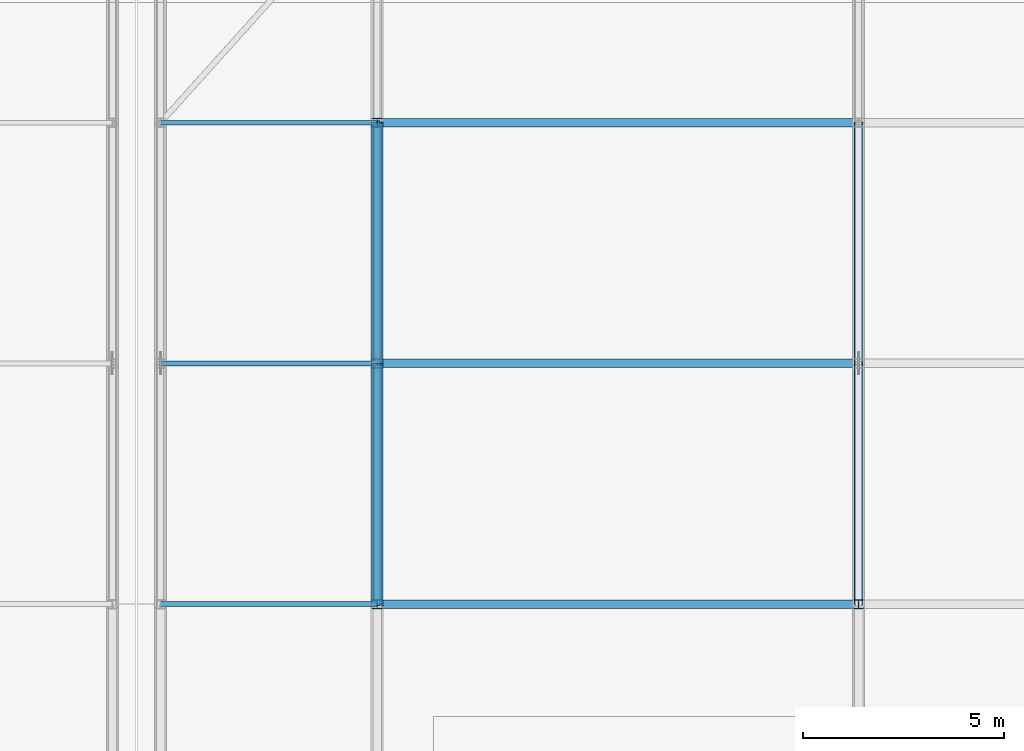
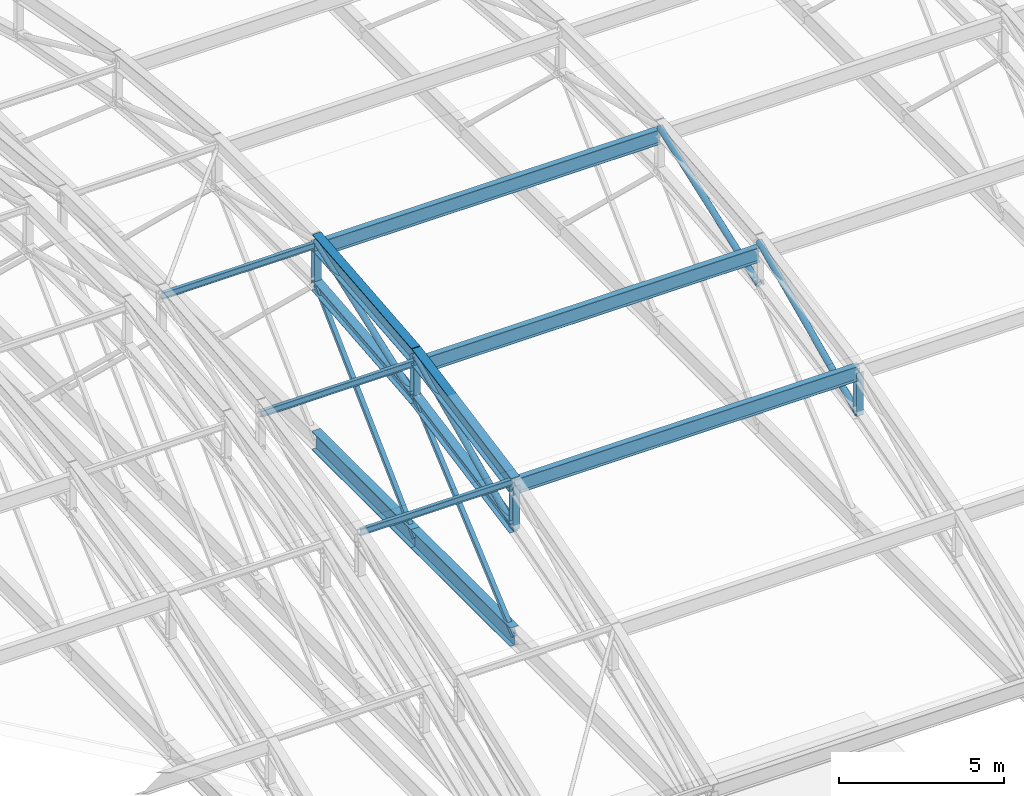
# One storey, part 121 of 204: 22 members.
"""IFC4 building model written with IfcOpenShell, lengths in metres."""

from ifc_helpers import new_model, si_unit, direction, frame, origin, origin_2d, place, context, subcontext, project, spatial, hollow_rectangle, hollow_circle, i_section, extrude, material, material_profile, profile_set, type_object, element, save


model = new_model("IFC4")

# Units and contexts
model_context = context("Model", 3, precision=1e-05, world=origin(), true_north=direction((0.0, 1.0)))
body_context = subcontext(model_context, "Body", "Model", "MODEL_VIEW")
ifc_project = project(units=[si_unit("LENGTHUNIT", "METRE"), si_unit("AREAUNIT", "SQUARE_METRE"), si_unit("VOLUMEUNIT", "CUBIC_METRE"), si_unit("PLANEANGLEUNIT", "RADIAN"), si_unit("MASSUNIT", "GRAM", prefix="KILO")], contexts=[model_context])

# Site, building, storey
site_placement = place(None, origin())
site = spatial("IfcSite", under=ifc_project, at=site_placement, CompositionType="ELEMENT")
building_placement = place(site_placement, origin())
building = spatial("IfcBuilding", under=site, at=building_placement, Name="Zilviju Railside Exhibition Hall", CompositionType="ELEMENT")
storey_placement = place(building_placement, frame((0.0, 0.0, 21.0)))
storey = spatial("IfcBuildingStorey", under=building, at=storey_placement, Name="RF", CompositionType="ELEMENT", Elevation=21.0)

# Members
ifc_material = material(Name="Steel S355J2", Category="steel")
ifc_material_profile_1 = material_profile(ifc_material, hollow_circle(Radius=0.109619140625, WallThickness=0.010009765625, at=origin_2d()), Name="CHS 219.1x10.0")
ifc_profile_set_1 = profile_set([ifc_material_profile_1], Name="Steel S355J2")
member_type_1 = type_object("IfcMemberType", Name="TR-BR-CHS219", PredefinedType="BRACE", material=ifc_profile_set_1)
member_1_placement = place(storey_placement, frame((132.0, 96.0, 0.409912109375), z_axis=(0.0, 0.909316915895, 0.416104249518), x_axis=(-1.0, 0.0, 0.0)))
element("IfcMember", 1, at=member_1_placement, inside=storey, type_object=member_type_1, Name="V2 Parabolic Arch Web Diagonal X=132.0 P3", PredefinedType="BRACE", context=body_context, shape_type="SweptSolid", body=[
    extrude(hollow_circle(Radius=0.109619140625, WallThickness=0.010009765625, at=origin_2d()), origin(), (0.0, 0.0, 1.0), 6.598388671875),
])
member_2_placement = place(storey_placement, frame((132.0, 102.0, 1.5556640625), z_axis=(0.0, 0.940243888255, 0.340501733621), x_axis=(-1.0, 0.0, 0.0)))
element("IfcMember", 2, at=member_2_placement, inside=storey, type_object=member_type_1, Name="V2 Parabolic Arch Web Diagonal X=132.0 P4", PredefinedType="BRACE", context=body_context, shape_type="SweptSolid", body=[
    extrude(hollow_circle(Radius=0.109619140625, WallThickness=0.010009765625, at=origin_2d()), origin(), (0.0, 0.0, 1.0), 6.38134765625),
])
member_3_placement = place(storey_placement, frame((144.0, 96.0, 0.409912109375), z_axis=(0.0, 0.909316915895, 0.416104249518), x_axis=(-1.0, 0.0, 0.0)))
element("IfcMember", 3, at=member_3_placement, inside=storey, type_object=member_type_1, Name="V2 Parabolic Arch Web Diagonal X=144.0 P3", PredefinedType="BRACE", context=body_context, shape_type="SweptSolid", body=[
    extrude(hollow_circle(Radius=0.109619140625, WallThickness=0.010009765625, at=origin_2d()), origin(), (0.0, 0.0, 1.0), 6.598388671875),
])
member_4_placement = place(storey_placement, frame((144.0, 102.0, 1.5556640625), z_axis=(0.0, 0.940243888255, 0.340501733621), x_axis=(-1.0, 0.0, 0.0)))
element("IfcMember", 4, at=member_4_placement, inside=storey, type_object=member_type_1, Name="V2 Parabolic Arch Web Diagonal X=144.0 P4", PredefinedType="BRACE", context=body_context, shape_type="SweptSolid", body=[
    extrude(hollow_circle(Radius=0.109619140625, WallThickness=0.010009765625, at=origin_2d()), origin(), (0.0, 0.0, 1.0), 6.38134765625),
])
ifc_material_profile_2 = material_profile(ifc_material, i_section(OverallWidth=0.300048828125, OverallDepth=0.39990234375, WebThickness=0.013427734375, FlangeThickness=0.02392578125, at=origin_2d()), Name="HEB 400")
ifc_profile_set_2 = profile_set([ifc_material_profile_2], Name="Steel S355J2")
member_type_2 = type_object("IfcMemberType", Name="TR-CH-HEB400", PredefinedType="CHORD", material=ifc_profile_set_2)
member_5_placement = place(storey_placement, frame((132.0, 96.0, 0.409912109375), z_axis=(0.0, 0.98225135267, 0.187569400964), x_axis=(-1.0, 0.0, 0.0)))
element("IfcMember", 5, at=member_5_placement, inside=storey, type_object=member_type_2, Name="V2 Parabolic Arch Bottom Chord X=132.0 P3", PredefinedType="CHORD", context=body_context, shape_type="SweptSolid", body=[
    extrude(i_section(OverallWidth=0.300048828125, OverallDepth=0.39990234375, WebThickness=0.013427734375, FlangeThickness=0.02392578125, at=origin_2d()), origin(), (0.0, 0.0, 1.0), 6.1083984375),
])
member_6_placement = place(storey_placement, frame((132.0, 102.0, 1.5556640625), z_axis=(0.0, 0.995474695123, 0.095027003367), x_axis=(-1.0, 0.0, 0.0)))
element("IfcMember", 6, at=member_6_placement, inside=storey, type_object=member_type_2, Name="V2 Parabolic Arch Bottom Chord X=132.0 P4", PredefinedType="CHORD", context=body_context, shape_type="SweptSolid", body=[
    extrude(i_section(OverallWidth=0.300048828125, OverallDepth=0.39990234375, WebThickness=0.013427734375, FlangeThickness=0.02392578125, at=origin_2d()), origin(), (0.0, 0.0, 1.0), 6.02734375),
])
ifc_material_profile_3 = material_profile(ifc_material, i_section(OverallWidth=0.300048828125, OverallDepth=0.60009765625, WebThickness=0.015380859375, FlangeThickness=0.030029296875, at=origin_2d()), Name="HEB 600")
ifc_profile_set_3 = profile_set([ifc_material_profile_3], Name="Steel S355J2")
member_type_3 = type_object("IfcMemberType", Name="TR-CH-HEB600", PredefinedType="CHORD", material=ifc_profile_set_3)
member_7_placement = place(storey_placement, frame((132.0, 96.0, 2.009765625), z_axis=(0.0, 0.98225135267, 0.187569400964), x_axis=(-1.0, 0.0, 0.0)))
element("IfcMember", 7, at=member_7_placement, inside=storey, type_object=member_type_3, Name="V2 Parabolic Arch Top Chord X=132.0 P3", PredefinedType="CHORD", context=body_context, shape_type="SweptSolid", body=[
    extrude(i_section(OverallWidth=0.300048828125, OverallDepth=0.60009765625, WebThickness=0.015380859375, FlangeThickness=0.030029296875, at=origin_2d()), origin(), (0.0, 0.0, 1.0), 6.1083984375),
])
member_8_placement = place(storey_placement, frame((132.0, 102.0, 3.155517578125), z_axis=(0.0, 0.995470862587, 0.095067143331), x_axis=(-1.0, 0.0, 0.0)))
element("IfcMember", 8, at=member_8_placement, inside=storey, type_object=member_type_3, Name="V2 Parabolic Arch Top Chord X=132.0 P4", PredefinedType="CHORD", context=body_context, shape_type="SweptSolid", body=[
    extrude(i_section(OverallWidth=0.300048828125, OverallDepth=0.60009765625, WebThickness=0.015380859375, FlangeThickness=0.030029296875, at=origin_2d()), origin(), (0.0, 0.0, 1.0), 6.02734375),
])
ifc_material_profile_4 = material_profile(ifc_material, i_section(OverallWidth=0.239990234375, OverallDepth=0.22998046875, WebThickness=0.007568359375, FlangeThickness=0.011962890625, at=origin_2d()), Name="HEA 240")
ifc_profile_set_4 = profile_set([ifc_material_profile_4], Name="Steel S355J2")
member_type_4 = type_object("IfcMemberType", Name="TR-POST-HEA240", PredefinedType="POST", material=ifc_profile_set_4)
for number, where, z_axis, x_axis, name in (
    (9, (132.0, 96.0, 0.409912109375), (0.0, 0.0, 1.0), (1.0, 0.0, 0.0), "V2 Parabolic Arch Web Post X=132.0 N2"),
    (10, (132.0, 102.0, 1.5556640625), (0.0, 0.0, 1.0), (1.0, 0.0, 0.0), "V2 Parabolic Arch Web Post X=132.0 N3"),
):
    element("IfcMember", number, at=place(storey_placement, frame(where, z_axis=z_axis, x_axis=x_axis)), inside=storey, type_object=member_type_4, Name=name, PredefinedType="POST", context=body_context, shape_type="SweptSolid", body=[
        extrude(i_section(OverallWidth=0.239990234375, OverallDepth=0.22998046875, WebThickness=0.007568359375, FlangeThickness=0.011962890625, at=origin_2d()), origin(), (0.0, 0.0, 1.0), 1.599853515625),
    ])
member_9_placement = place(storey_placement, frame((132.0, 108.0, 2.12841796875), z_axis=(0.0, 0.0, 1.0), x_axis=(1.0, 0.0, 0.0)))
element("IfcMember", 11, at=member_9_placement, inside=storey, type_object=member_type_4, Name="V2 Parabolic Arch Web Post X=132.0 N4", PredefinedType="POST", context=body_context, shape_type="SweptSolid", body=[
    extrude(i_section(OverallWidth=0.239990234375, OverallDepth=0.22998046875, WebThickness=0.007568359375, FlangeThickness=0.011962890625, at=origin_2d()), origin(), (0.0, 0.0, 1.0), 1.60009765625),
])
member_10_placement = place(storey_placement, frame((144.0, 96.0, 0.409912109375), z_axis=(0.0, 0.0, 1.0), x_axis=(1.0, 0.0, 0.0)))
element("IfcMember", 12, at=member_10_placement, inside=storey, type_object=member_type_4, Name="V2 Parabolic Arch Web Post X=144.0 N2", PredefinedType="POST", context=body_context, shape_type="SweptSolid", body=[
    extrude(i_section(OverallWidth=0.239990234375, OverallDepth=0.22998046875, WebThickness=0.007568359375, FlangeThickness=0.011962890625, at=origin_2d()), origin(), (0.0, 0.0, 1.0), 1.599853515625),
])
ifc_material_profile_5 = material_profile(ifc_material, hollow_rectangle(XDim=0.14990234375, YDim=0.14990234375, WallThickness=0.008056640625, at=origin_2d()), Name="SHS 150x150x8.0")
ifc_profile_set_5 = profile_set([ifc_material_profile_5], Name="Steel S355J2")
member_type_5 = type_object("IfcMemberType", Name="TR-POST-SHS150", PredefinedType="POST", material=ifc_profile_set_5)
member_11_placement = place(storey_placement, frame((132.0, 96.0, -3.60009765625), z_axis=(0.0, 0.758449992634, 0.651731239602), x_axis=(-1.0, 0.0, 0.0)))
element("IfcMember", 13, at=member_11_placement, inside=storey, type_object=member_type_5, Name="V2 Arch Tie Hanger X=132.0 N2", PredefinedType="POST", context=body_context, shape_type="SweptSolid", body=[
    extrude(hollow_rectangle(XDim=0.14990234375, YDim=0.14990234375, WallThickness=0.008056640625, at=origin_2d()), origin(), (0.0, 0.0, 1.0), 7.910888671875),
])
member_12_placement = place(storey_placement, frame((132.0, 102.0, -3.60009765625), z_axis=(0.0, 0.723280707221, 0.690554138763), x_axis=(-1.0, 0.0, 0.0)))
element("IfcMember", 14, at=member_12_placement, inside=storey, type_object=member_type_5, Name="V2 Arch Tie Hanger X=132.0 N3", PredefinedType="POST", context=body_context, shape_type="SweptSolid", body=[
    extrude(hollow_rectangle(XDim=0.14990234375, YDim=0.14990234375, WallThickness=0.008056640625, at=origin_2d()), origin(), (0.0, 0.0, 1.0), 8.295654296875),
])
ifc_material_profile_6 = material_profile(ifc_material, i_section(OverallWidth=0.1201171875, OverallDepth=0.239990234375, WebThickness=0.006103515625, FlangeThickness=0.009765625, at=origin_2d()), Name="IPE 240")
ifc_profile_set_6 = profile_set([ifc_material_profile_6], Name="Steel S355J2")
member_type_6 = type_object("IfcMemberType", Name="TR-PUR-IPE240", PredefinedType="PURLIN", material=ifc_profile_set_6)
for number, where, z_axis, x_axis, name in (
    (15, (126.60009765625, 96.0, 2.14306640625), (1.0, 0.0, 0.0), (0.0, 1.0, 0.0), "V2 Barrel Vault Roof Purlin Y=96.0 (126.6..132.0)"),
    (16, (126.60009765625, 102.0, 2.877197265625), (1.0, 0.0, 0.0), (0.0, 1.0, 0.0), "V2 Barrel Vault Roof Purlin Y=102.0 (126.6..132.0)"),
    (17, (126.60009765625, 108.0, 3.593017578125), (1.0, 0.0, 0.0), (0.0, 1.0, 0.0), "V2 Barrel Vault Roof Purlin Y=108.0 (126.6..132.0)"),
):
    element("IfcMember", number, at=place(storey_placement, frame(where, z_axis=z_axis, x_axis=x_axis)), inside=storey, type_object=member_type_6, Name=name, PredefinedType="PURLIN", context=body_context, shape_type="SweptSolid", body=[
        extrude(i_section(OverallWidth=0.1201171875, OverallDepth=0.239990234375, WebThickness=0.006103515625, FlangeThickness=0.009765625, at=origin_2d()), origin(), (0.0, 0.0, 1.0), 5.39990234375),
    ])
ifc_material_profile_7 = material_profile(ifc_material, i_section(OverallWidth=0.2099609375, OverallDepth=0.550048828125, WebThickness=0.010986328125, FlangeThickness=0.01708984375, at=origin_2d()), Name="IPE 550")
ifc_profile_set_7 = profile_set([ifc_material_profile_7], Name="Steel S355J2")
member_type_7 = type_object("IfcMemberType", Name="TR-PUR-IPE550", PredefinedType="PURLIN", material=ifc_profile_set_7)
for number, where, z_axis, x_axis, name in (
    (18, (132.0, 96.0, 1.97509765625), (1.0, 0.0, 0.0), (0.0, 1.0, 0.0), "V2 Barrel Vault Roof Purlin Y=96.0 (132.0..144.0)"),
    (19, (132.0, 102.0, 2.716796875), (1.0, 0.0, 0.0), (0.0, 1.0, 0.0), "V2 Barrel Vault Roof Purlin Y=102.0 (132.0..144.0)"),
    (20, (132.0, 108.0, 3.4326171875), (1.0, 0.0, 0.0), (0.0, 1.0, 0.0), "V2 Barrel Vault Roof Purlin Y=108.0 (132.0..144.0)"),
):
    element("IfcMember", number, at=place(storey_placement, frame(where, z_axis=z_axis, x_axis=x_axis)), inside=storey, type_object=member_type_7, Name=name, PredefinedType="PURLIN", context=body_context, shape_type="SweptSolid", body=[
        extrude(i_section(OverallWidth=0.2099609375, OverallDepth=0.550048828125, WebThickness=0.010986328125, FlangeThickness=0.01708984375, at=origin_2d()), origin(), (0.0, 0.0, 1.0), 12.0),
    ])
ifc_material_profile_8 = material_profile(ifc_material, i_section(OverallWidth=0.300048828125, OverallDepth=0.699951171875, WebThickness=0.01708984375, FlangeThickness=0.031982421875, at=origin_2d()), Name="HEB 700")
ifc_profile_set_8 = profile_set([ifc_material_profile_8], Name="Steel S355J2")
member_type_8 = type_object("IfcMemberType", Name="TR-TIE-HEB700", PredefinedType="CHORD", material=ifc_profile_set_8)
for number, where, z_axis, x_axis, name in (
    (21, (132.0, 96.0, -3.60009765625), (0.0, 1.0, 0.0), (-1.0, 0.0, 0.0), "V2 Arch Tie Member X=132.0"),
    (22, (132.0, 102.0, -3.60009765625), (0.0, 1.0, 0.0), (-1.0, 0.0, 0.0), "V2 Arch Tie Member X=132.0"),
):
    element("IfcMember", number, at=place(storey_placement, frame(where, z_axis=z_axis, x_axis=x_axis)), inside=storey, type_object=member_type_8, Name=name, PredefinedType="CHORD", context=body_context, shape_type="SweptSolid", body=[
        extrude(i_section(OverallWidth=0.300048828125, OverallDepth=0.699951171875, WebThickness=0.01708984375, FlangeThickness=0.031982421875, at=origin_2d()), origin(), (0.0, 0.0, 1.0), 6.0),
    ])

save(model, "model.ifc")
